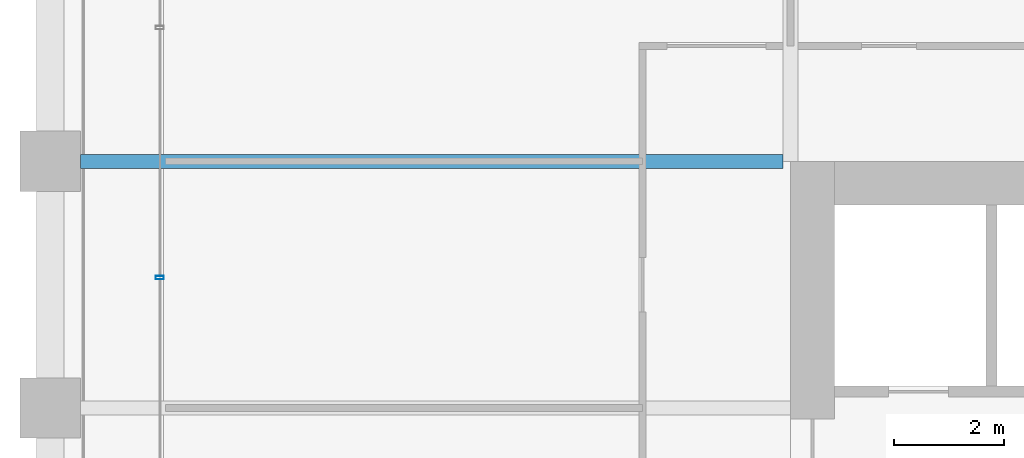
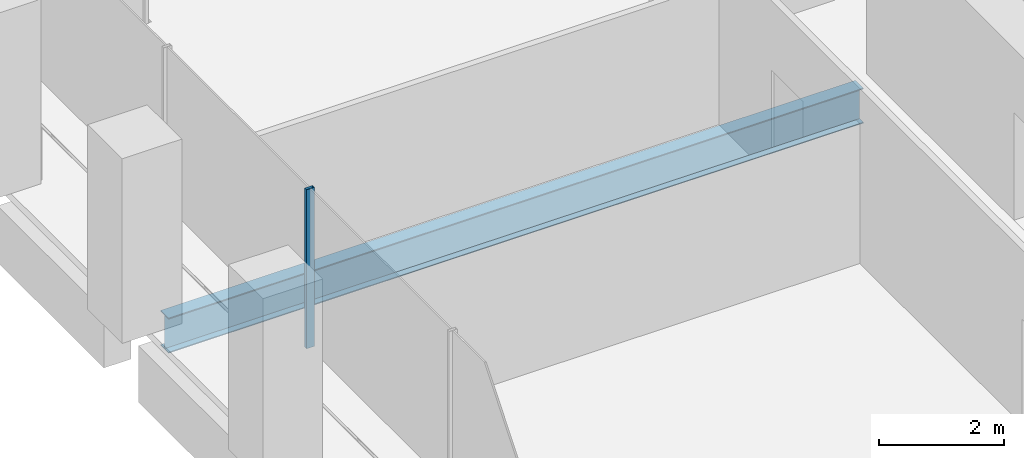
# One storey, part 14 of 56: 1 beam, 1 member, 1 element without a shape of its own.
"""IFC4 building model written with IfcOpenShell, lengths in metres."""

from ifc_helpers import new_model, si_unit, direction, frame, origin, origin_2d, place, context, subcontext, project, spatial, hollow_rectangle, i_section, extrude, material, material_profile, profile_set, type_object, element, aggregate, save


model = new_model("IFC4")

# Units and contexts
model_context = context("Model", 3, precision=1e-05, world=origin(), true_north=direction((0.0, 1.0)))
body_context = subcontext(model_context, "Body", "Model", "MODEL_VIEW")
ifc_project = project(units=[si_unit("LENGTHUNIT", "METRE"), si_unit("AREAUNIT", "SQUARE_METRE"), si_unit("VOLUMEUNIT", "CUBIC_METRE"), si_unit("PLANEANGLEUNIT", "RADIAN"), si_unit("MASSUNIT", "GRAM", prefix="KILO")], contexts=[model_context])

# Site, building, storey
site_placement = place(None, origin())
site = spatial("IfcSite", under=ifc_project, at=site_placement, CompositionType="ELEMENT")
building_placement = place(site_placement, origin())
building = spatial("IfcBuilding", under=site, at=building_placement, Name="Altepetl Exchange Towers", CompositionType="ELEMENT")
storey_placement = place(building_placement, frame((0.0, 0.0, 51.0)))
storey = spatial("IfcBuildingStorey", under=building, at=storey_placement, Name="L11", CompositionType="ELEMENT", Elevation=51.0)

# Beam
ifc_material_1 = material(Name="Steel S355", Category="steel")
ifc_material_profile_1 = material_profile(ifc_material_1, i_section(OverallWidth=0.25390625, OverallDepth=0.68408203125, WebThickness=0.012451171875, FlangeThickness=0.018798828125, at=origin_2d()), Name="W27X94")
ifc_profile_set_1 = profile_set([ifc_material_profile_1], Name="Steel S355")
beam_type = type_object("IfcBeamType", Name="Floor beam W27X94", PredefinedType="BEAM", material=ifc_profile_set_1)
beam_placement = place(storey_placement, frame((27.550048828125, 58.5, -0.491943359375), z_axis=(1.0, 0.0, 0.0), x_axis=(0.0, 1.0, 0.0)))
element("IfcBeam", 1, at=beam_placement, inside=storey, type_object=beam_type, Name="bm:A:L11:021", PredefinedType="BEAM", context=body_context, shape_type="SweptSolid", body=[
    extrude(i_section(OverallWidth=0.25390625, OverallDepth=0.68408203125, WebThickness=0.012451171875, FlangeThickness=0.018798828125, at=origin_2d()), origin(), (0.0, 0.0, 1.0), 12.81591796875),
])

# Curtain wall, member
ifc_material_2 = material(Name="Aluminium 6063-T6 glazing", Category="aluminium")
curtain_wall_type = type_object("IfcCurtainWallType", Name="Loggia glazing system", PredefinedType="NOTDEFINED", material=ifc_material_2)
curtain_wall_placement = place(storey_placement, origin())
curtain_wall = element("IfcCurtainWall", 2, at=curtain_wall_placement, inside=storey, type_object=curtain_wall_type, Name="CW1 run", PredefinedType="NOTDEFINED")
ifc_material_3 = material(Name="Aluminium 6063-T6", Category="aluminium")
ifc_material_profile_2 = material_profile(ifc_material_3, hollow_rectangle(XDim=0.06005859375, YDim=0.14990234375, WallThickness=0.0029296875, at=origin_2d()), Name="Mullion 60x150 aluminium")
ifc_profile_set_2 = profile_set([ifc_material_profile_2], Name="Aluminium 6063-T6")
member_type = type_object("IfcMemberType", Name="Mullion 60x150 aluminium", PredefinedType="MULLION", material=ifc_profile_set_2)
member_placement = place(storey_placement, frame((29.0, 56.378662109375, 0.0), z_axis=(0.0, 0.0, 1.0), x_axis=(0.0, -1.0, 0.0)))
member = element("IfcMember", 3, at=member_placement, type_object=member_type, Name="MU1 mullion", PredefinedType="MULLION", context=body_context, shape_type="SweptSolid", body=[
    extrude(hollow_rectangle(XDim=0.06005859375, YDim=0.14990234375, WallThickness=0.0029296875, at=origin_2d()), origin(), (0.0, 0.0, 1.0), 3.10009765625),
])
aggregate(curtain_wall, [member])

save(model, "model.ifc")
